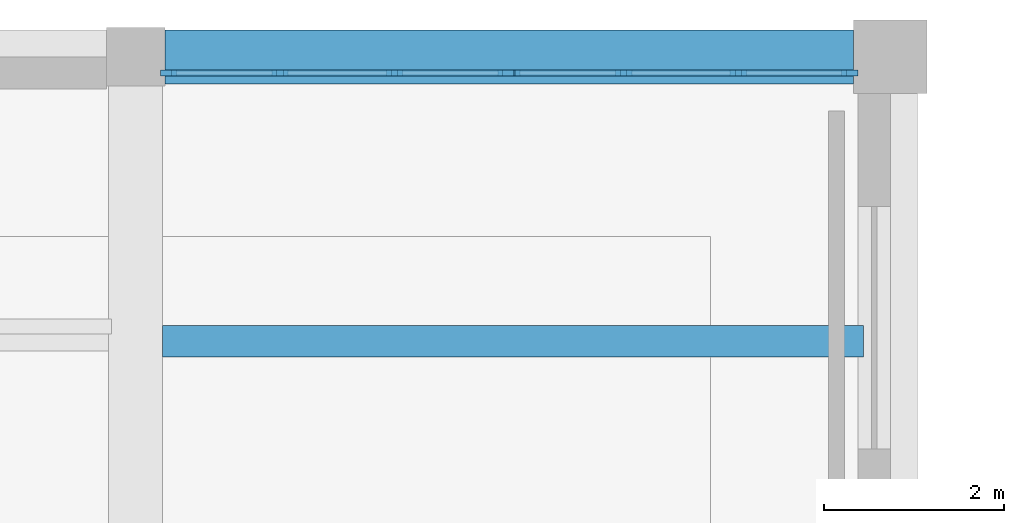
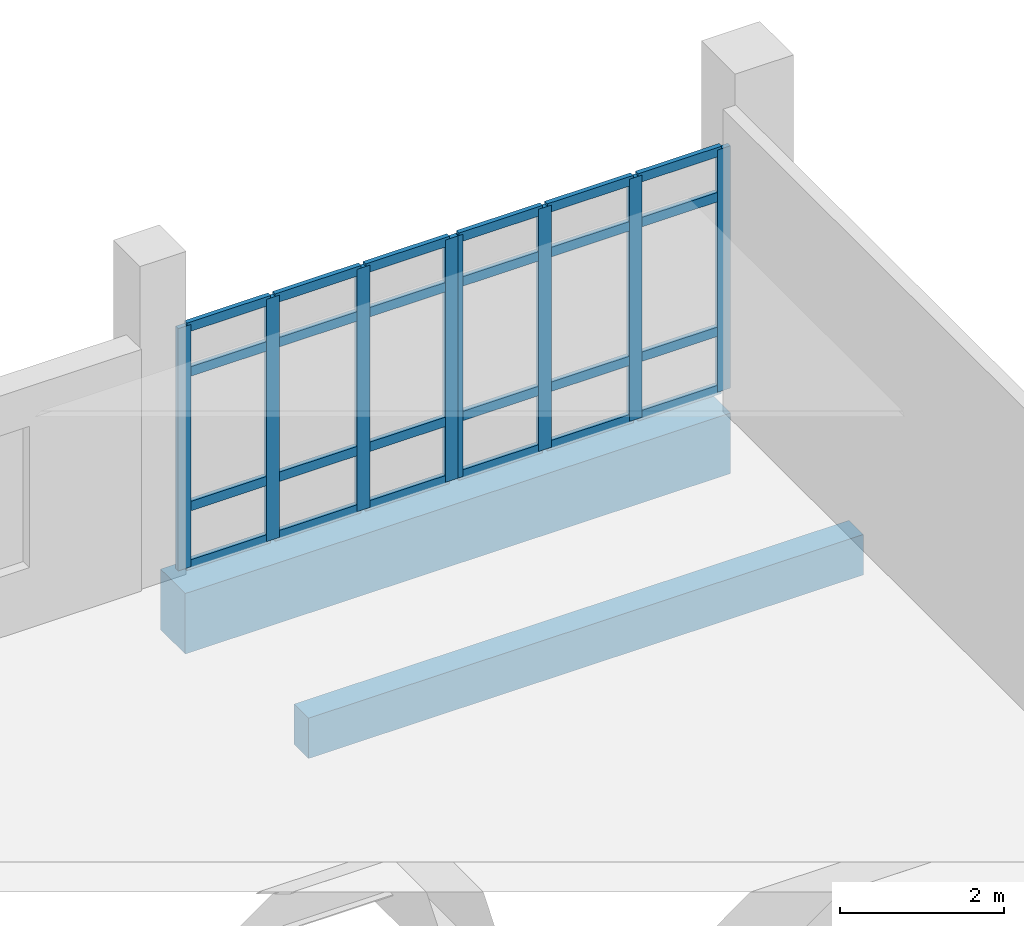
# One storey, part 32 of 90: 32 members, 2 beams, 2 elements without a shape of their own.
"""IFC4 building model written with IfcOpenShell, lengths in metres."""

from ifc_helpers import new_model, si_unit, direction, frame, origin, origin_2d, place, context, subcontext, project, spatial, rectangle, extrude, material, layer, layer_set, material_profile, profile_set, type_object, element, aggregate, save


model = new_model("IFC4")

# Units and contexts
model_context = context("Model", 3, precision=1e-05, world=origin(), true_north=direction((0.0, 1.0)))
body_context = subcontext(model_context, "Body", "Model", "MODEL_VIEW")
ifc_project = project(units=[si_unit("LENGTHUNIT", "METRE"), si_unit("AREAUNIT", "SQUARE_METRE"), si_unit("VOLUMEUNIT", "CUBIC_METRE"), si_unit("PLANEANGLEUNIT", "RADIAN"), si_unit("MASSUNIT", "GRAM", prefix="KILO")], contexts=[model_context])

# Site, building, storey
site_placement = place(None, origin())
site = spatial("IfcSite", under=ifc_project, at=site_placement, CompositionType="ELEMENT")
building_placement = place(site_placement, origin())
building = spatial("IfcBuilding", under=site, at=building_placement, Name="Kelarvand Opera House", CompositionType="ELEMENT")
storey_placement = place(building_placement, frame((0.0, 0.0, 5.39990234375)))
storey = spatial("IfcBuildingStorey", under=building, at=storey_placement, Name="L01", CompositionType="ELEMENT", Elevation=5.39990234375)

# Curtain wall, members
ifc_material_1 = material(Name="Thermally broken aluminium and low-E glazing", Category="aluminium")
ifc_layer = layer(ifc_material_1, 0.179931640625, Name="Thermally broken aluminium and low-E glazing", Category="aluminium")
ifc_layer_set = layer_set([ifc_layer], Name="Thermally broken aluminium and low-E glazing")
curtain_wall_type = type_object("IfcCurtainWallType", Name="Unitised Low-E Curtain Wall 3818x3600 Mod 1350 CWF-18", PredefinedType="USERDEFINED", material=ifc_layer_set)
curtain_wall_1_placement = place(storey_placement, origin())
curtain_wall_1 = element("IfcCurtainWall", 1, at=curtain_wall_1_placement, inside=storey, type_object=curtain_wall_type, Name="V3 L01 Curtain Wall CWF-18 (55)", ObjectType="UNITISED CURTAIN WALL", PredefinedType="USERDEFINED")
ifc_material_2 = material(Name="Thermally broken anodised aluminium", Category="aluminium")
ifc_material_profile_1 = material_profile(ifc_material_2, rectangle(XDim=0.06494140625, YDim=0.179931640625, at=origin_2d()), Name="ALU MULLION 65x180", Category="aluminium")
ifc_profile_set_1 = profile_set([ifc_material_profile_1], Name="Thermally broken anodised aluminium")
member_type_1 = type_object("IfcMemberType", Name="Curtain Wall Mullion 65x180 Aluminium", PredefinedType="MULLION", material=ifc_profile_set_1)
member_1_placement = place(storey_placement, frame((42.967529296875, 124.820068359375, 0.0), z_axis=(0.0, 0.0, 1.0), x_axis=(0.0, 1.0, 0.0)))
member_1 = element("IfcMember", 2, at=member_1_placement, type_object=member_type_1, Name="CWF-18 mullion 1", PredefinedType="MULLION", context=body_context, shape_type="SweptSolid", body=[
    extrude(rectangle(XDim=0.06494140625, YDim=0.179931640625, at=origin_2d()), origin(), (0.0, 0.0, 1.0), 3.60009765625),
])
member_2_placement = place(storey_placement, frame((44.207763671875, 124.820068359375, 0.0), z_axis=(0.0, 0.0, 1.0), x_axis=(0.0, 1.0, 0.0)))
member_2 = element("IfcMember", 3, at=member_2_placement, type_object=member_type_1, Name="CWF-18 mullion 2", PredefinedType="MULLION", context=body_context, shape_type="SweptSolid", body=[
    extrude(rectangle(XDim=0.06494140625, YDim=0.179931640625, at=origin_2d()), origin(), (0.0, 0.0, 1.0), 3.60009765625),
])
member_3_placement = place(storey_placement, frame((45.480712890625, 124.820068359375, 0.0), z_axis=(0.0, 0.0, 1.0), x_axis=(0.0, 1.0, 0.0)))
member_3 = element("IfcMember", 4, at=member_3_placement, type_object=member_type_1, Name="CWF-18 mullion 3", PredefinedType="MULLION", context=body_context, shape_type="SweptSolid", body=[
    extrude(rectangle(XDim=0.06494140625, YDim=0.179931640625, at=origin_2d()), origin(), (0.0, 0.0, 1.0), 3.60009765625),
])
member_4_placement = place(storey_placement, frame((46.720947265625, 124.820068359375, 0.0), z_axis=(0.0, 0.0, 1.0), x_axis=(0.0, 1.0, 0.0)))
member_4 = element("IfcMember", 5, at=member_4_placement, type_object=member_type_1, Name="CWF-18 mullion 4", PredefinedType="MULLION", context=body_context, shape_type="SweptSolid", body=[
    extrude(rectangle(XDim=0.06494140625, YDim=0.179931640625, at=origin_2d()), origin(), (0.0, 0.0, 1.0), 3.60009765625),
])

curtain_wall_2_placement = place(storey_placement, origin())
curtain_wall_2 = element("IfcCurtainWall", 6, at=curtain_wall_2_placement, inside=storey, type_object=curtain_wall_type, Name="V3 L01 Curtain Wall CWF-18 (56)", ObjectType="UNITISED CURTAIN WALL", PredefinedType="USERDEFINED")
member_5_placement = place(storey_placement, frame((46.7900390625, 124.820068359375, 0.0), z_axis=(0.0, 0.0, 1.0), x_axis=(0.0, 1.0, 0.0)))
member_5 = element("IfcMember", 7, at=member_5_placement, type_object=member_type_1, Name="CWF-18 mullion 1", PredefinedType="MULLION", context=body_context, shape_type="SweptSolid", body=[
    extrude(rectangle(XDim=0.06494140625, YDim=0.179931640625, at=origin_2d()), origin(), (0.0, 0.0, 1.0), 3.60009765625),
])
member_6_placement = place(storey_placement, frame((48.03173828125, 124.820068359375, 0.0), z_axis=(0.0, 0.0, 1.0), x_axis=(0.0, 1.0, 0.0)))
member_6 = element("IfcMember", 8, at=member_6_placement, type_object=member_type_1, Name="CWF-18 mullion 2", PredefinedType="MULLION", context=body_context, shape_type="SweptSolid", body=[
    extrude(rectangle(XDim=0.06494140625, YDim=0.179931640625, at=origin_2d()), origin(), (0.0, 0.0, 1.0), 3.60009765625),
])
member_7_placement = place(storey_placement, frame((49.305908203125, 124.820068359375, 0.0), z_axis=(0.0, 0.0, 1.0), x_axis=(0.0, 1.0, 0.0)))
member_7 = element("IfcMember", 9, at=member_7_placement, type_object=member_type_1, Name="CWF-18 mullion 3", PredefinedType="MULLION", context=body_context, shape_type="SweptSolid", body=[
    extrude(rectangle(XDim=0.06494140625, YDim=0.179931640625, at=origin_2d()), origin(), (0.0, 0.0, 1.0), 3.60009765625),
])
member_8_placement = place(storey_placement, frame((50.547607421875, 124.820068359375, 0.0), z_axis=(0.0, 0.0, 1.0), x_axis=(0.0, 1.0, 0.0)))
member_8 = element("IfcMember", 10, at=member_8_placement, type_object=member_type_1, Name="CWF-18 mullion 4", PredefinedType="MULLION", context=body_context, shape_type="SweptSolid", body=[
    extrude(rectangle(XDim=0.06494140625, YDim=0.179931640625, at=origin_2d()), origin(), (0.0, 0.0, 1.0), 3.60009765625),
])

# Member
ifc_material_profile_2 = material_profile(ifc_material_2, rectangle(XDim=0.06494140625, YDim=0.139892578125, at=origin_2d()), Name="ALU TRANSOM 65x140", Category="aluminium")
ifc_profile_set_2 = profile_set([ifc_material_profile_2], Name="Thermally broken anodised aluminium")
member_type_2 = type_object("IfcMemberType", Name="Curtain Wall Transom 65x140 Aluminium", PredefinedType="USERDEFINED", material=ifc_profile_set_2)
member_9_placement = place(storey_placement, frame((43.0, 124.820068359375, 0.03271484375), z_axis=(1.0, 0.0, 0.0), x_axis=(0.0, 1.0, 0.0)))
member_9 = element("IfcMember", 11, at=member_9_placement, type_object=member_type_2, Name="CWF-18 transom 1.1", ObjectType="TRANSOM", PredefinedType="USERDEFINED", context=body_context, shape_type="SweptSolid", body=[
    extrude(rectangle(XDim=0.06494140625, YDim=0.139892578125, at=origin_2d()), origin(), (0.0, 0.0, 1.0), 1.17529296875),
])

member_10_placement = place(storey_placement, frame((43.0, 124.820068359375, 0.900146484375), z_axis=(1.0, 0.0, 0.0), x_axis=(0.0, 1.0, 0.0)))
member_10 = element("IfcMember", 12, at=member_10_placement, type_object=member_type_2, Name="CWF-18 transom 1.2", ObjectType="TRANSOM", PredefinedType="USERDEFINED", context=body_context, shape_type="SweptSolid", body=[
    extrude(rectangle(XDim=0.06494140625, YDim=0.139892578125, at=origin_2d()), origin(), (0.0, 0.0, 1.0), 1.17529296875),
])

member_11_placement = place(storey_placement, frame((43.0, 124.820068359375, 2.900146484375), z_axis=(1.0, 0.0, 0.0), x_axis=(0.0, 1.0, 0.0)))
member_11 = element("IfcMember", 13, at=member_11_placement, type_object=member_type_2, Name="CWF-18 transom 1.3", ObjectType="TRANSOM", PredefinedType="USERDEFINED", context=body_context, shape_type="SweptSolid", body=[
    extrude(rectangle(XDim=0.06494140625, YDim=0.139892578125, at=origin_2d()), origin(), (0.0, 0.0, 1.0), 1.17529296875),
])

member_12_placement = place(storey_placement, frame((43.0, 124.820068359375, 3.567626953125), z_axis=(1.0, 0.0, 0.0), x_axis=(0.0, 1.0, 0.0)))
member_12 = element("IfcMember", 14, at=member_12_placement, type_object=member_type_2, Name="CWF-18 transom 1.4", ObjectType="TRANSOM", PredefinedType="USERDEFINED", context=body_context, shape_type="SweptSolid", body=[
    extrude(rectangle(XDim=0.06494140625, YDim=0.139892578125, at=origin_2d()), origin(), (0.0, 0.0, 1.0), 1.17529296875),
])

member_13_placement = place(storey_placement, frame((44.240234375, 124.820068359375, 0.03271484375), z_axis=(1.0, 0.0, 0.0), x_axis=(0.0, 1.0, 0.0)))
member_13 = element("IfcMember", 15, at=member_13_placement, type_object=member_type_2, Name="CWF-18 transom 2.1", ObjectType="TRANSOM", PredefinedType="USERDEFINED", context=body_context, shape_type="SweptSolid", body=[
    extrude(rectangle(XDim=0.06494140625, YDim=0.139892578125, at=origin_2d()), origin(), (0.0, 0.0, 1.0), 1.2080078125),
])

member_14_placement = place(storey_placement, frame((44.240234375, 124.820068359375, 0.900146484375), z_axis=(1.0, 0.0, 0.0), x_axis=(0.0, 1.0, 0.0)))
member_14 = element("IfcMember", 16, at=member_14_placement, type_object=member_type_2, Name="CWF-18 transom 2.2", ObjectType="TRANSOM", PredefinedType="USERDEFINED", context=body_context, shape_type="SweptSolid", body=[
    extrude(rectangle(XDim=0.06494140625, YDim=0.139892578125, at=origin_2d()), origin(), (0.0, 0.0, 1.0), 1.2080078125),
])

member_15_placement = place(storey_placement, frame((44.240234375, 124.820068359375, 2.900146484375), z_axis=(1.0, 0.0, 0.0), x_axis=(0.0, 1.0, 0.0)))
member_15 = element("IfcMember", 17, at=member_15_placement, type_object=member_type_2, Name="CWF-18 transom 2.3", ObjectType="TRANSOM", PredefinedType="USERDEFINED", context=body_context, shape_type="SweptSolid", body=[
    extrude(rectangle(XDim=0.06494140625, YDim=0.139892578125, at=origin_2d()), origin(), (0.0, 0.0, 1.0), 1.2080078125),
])

member_16_placement = place(storey_placement, frame((44.240234375, 124.820068359375, 3.567626953125), z_axis=(1.0, 0.0, 0.0), x_axis=(0.0, 1.0, 0.0)))
member_16 = element("IfcMember", 18, at=member_16_placement, type_object=member_type_2, Name="CWF-18 transom 2.4", ObjectType="TRANSOM", PredefinedType="USERDEFINED", context=body_context, shape_type="SweptSolid", body=[
    extrude(rectangle(XDim=0.06494140625, YDim=0.139892578125, at=origin_2d()), origin(), (0.0, 0.0, 1.0), 1.2080078125),
])

member_17_placement = place(storey_placement, frame((45.51318359375, 124.820068359375, 0.03271484375), z_axis=(1.0, 0.0, 0.0), x_axis=(0.0, 1.0, 0.0)))
member_17 = element("IfcMember", 19, at=member_17_placement, type_object=member_type_2, Name="CWF-18 transom 3.1", ObjectType="TRANSOM", PredefinedType="USERDEFINED", context=body_context, shape_type="SweptSolid", body=[
    extrude(rectangle(XDim=0.06494140625, YDim=0.139892578125, at=origin_2d()), origin(), (0.0, 0.0, 1.0), 1.17529296875),
])

member_18_placement = place(storey_placement, frame((45.51318359375, 124.820068359375, 0.900146484375), z_axis=(1.0, 0.0, 0.0), x_axis=(0.0, 1.0, 0.0)))
member_18 = element("IfcMember", 20, at=member_18_placement, type_object=member_type_2, Name="CWF-18 transom 3.2", ObjectType="TRANSOM", PredefinedType="USERDEFINED", context=body_context, shape_type="SweptSolid", body=[
    extrude(rectangle(XDim=0.06494140625, YDim=0.139892578125, at=origin_2d()), origin(), (0.0, 0.0, 1.0), 1.17529296875),
])

member_19_placement = place(storey_placement, frame((45.51318359375, 124.820068359375, 2.900146484375), z_axis=(1.0, 0.0, 0.0), x_axis=(0.0, 1.0, 0.0)))
member_19 = element("IfcMember", 21, at=member_19_placement, type_object=member_type_2, Name="CWF-18 transom 3.3", ObjectType="TRANSOM", PredefinedType="USERDEFINED", context=body_context, shape_type="SweptSolid", body=[
    extrude(rectangle(XDim=0.06494140625, YDim=0.139892578125, at=origin_2d()), origin(), (0.0, 0.0, 1.0), 1.17529296875),
])

member_20_placement = place(storey_placement, frame((45.51318359375, 124.820068359375, 3.567626953125), z_axis=(1.0, 0.0, 0.0), x_axis=(0.0, 1.0, 0.0)))
member_20 = element("IfcMember", 22, at=member_20_placement, type_object=member_type_2, Name="CWF-18 transom 3.4", ObjectType="TRANSOM", PredefinedType="USERDEFINED", context=body_context, shape_type="SweptSolid", body=[
    extrude(rectangle(XDim=0.06494140625, YDim=0.139892578125, at=origin_2d()), origin(), (0.0, 0.0, 1.0), 1.17529296875),
])

aggregate(curtain_wall_1, [member_1, member_2, member_3, member_4, member_9, member_10, member_11, member_12, member_13, member_14, member_15, member_16, member_17, member_18, member_19, member_20])

member_21_placement = place(storey_placement, frame((46.822509765625, 124.820068359375, 0.03271484375), z_axis=(1.0, 0.0, 0.0), x_axis=(0.0, 1.0, 0.0)))
member_21 = element("IfcMember", 23, at=member_21_placement, type_object=member_type_2, Name="CWF-18 transom 1.1", ObjectType="TRANSOM", PredefinedType="USERDEFINED", context=body_context, shape_type="SweptSolid", body=[
    extrude(rectangle(XDim=0.06494140625, YDim=0.139892578125, at=origin_2d()), origin(), (0.0, 0.0, 1.0), 1.1767578125),
])

member_22_placement = place(storey_placement, frame((46.822509765625, 124.820068359375, 0.900146484375), z_axis=(1.0, 0.0, 0.0), x_axis=(0.0, 1.0, 0.0)))
member_22 = element("IfcMember", 24, at=member_22_placement, type_object=member_type_2, Name="CWF-18 transom 1.2", ObjectType="TRANSOM", PredefinedType="USERDEFINED", context=body_context, shape_type="SweptSolid", body=[
    extrude(rectangle(XDim=0.06494140625, YDim=0.139892578125, at=origin_2d()), origin(), (0.0, 0.0, 1.0), 1.1767578125),
])

member_23_placement = place(storey_placement, frame((46.822509765625, 124.820068359375, 2.900146484375), z_axis=(1.0, 0.0, 0.0), x_axis=(0.0, 1.0, 0.0)))
member_23 = element("IfcMember", 25, at=member_23_placement, type_object=member_type_2, Name="CWF-18 transom 1.3", ObjectType="TRANSOM", PredefinedType="USERDEFINED", context=body_context, shape_type="SweptSolid", body=[
    extrude(rectangle(XDim=0.06494140625, YDim=0.139892578125, at=origin_2d()), origin(), (0.0, 0.0, 1.0), 1.1767578125),
])

member_24_placement = place(storey_placement, frame((46.822509765625, 124.820068359375, 3.567626953125), z_axis=(1.0, 0.0, 0.0), x_axis=(0.0, 1.0, 0.0)))
member_24 = element("IfcMember", 26, at=member_24_placement, type_object=member_type_2, Name="CWF-18 transom 1.4", ObjectType="TRANSOM", PredefinedType="USERDEFINED", context=body_context, shape_type="SweptSolid", body=[
    extrude(rectangle(XDim=0.06494140625, YDim=0.139892578125, at=origin_2d()), origin(), (0.0, 0.0, 1.0), 1.1767578125),
])

member_25_placement = place(storey_placement, frame((48.064208984375, 124.820068359375, 0.03271484375), z_axis=(1.0, 0.0, 0.0), x_axis=(0.0, 1.0, 0.0)))
member_25 = element("IfcMember", 27, at=member_25_placement, type_object=member_type_2, Name="CWF-18 transom 2.1", ObjectType="TRANSOM", PredefinedType="USERDEFINED", context=body_context, shape_type="SweptSolid", body=[
    extrude(rectangle(XDim=0.06494140625, YDim=0.139892578125, at=origin_2d()), origin(), (0.0, 0.0, 1.0), 1.209228515625),
])

member_26_placement = place(storey_placement, frame((48.064208984375, 124.820068359375, 0.900146484375), z_axis=(1.0, 0.0, 0.0), x_axis=(0.0, 1.0, 0.0)))
member_26 = element("IfcMember", 28, at=member_26_placement, type_object=member_type_2, Name="CWF-18 transom 2.2", ObjectType="TRANSOM", PredefinedType="USERDEFINED", context=body_context, shape_type="SweptSolid", body=[
    extrude(rectangle(XDim=0.06494140625, YDim=0.139892578125, at=origin_2d()), origin(), (0.0, 0.0, 1.0), 1.209228515625),
])

member_27_placement = place(storey_placement, frame((48.064208984375, 124.820068359375, 2.900146484375), z_axis=(1.0, 0.0, 0.0), x_axis=(0.0, 1.0, 0.0)))
member_27 = element("IfcMember", 29, at=member_27_placement, type_object=member_type_2, Name="CWF-18 transom 2.3", ObjectType="TRANSOM", PredefinedType="USERDEFINED", context=body_context, shape_type="SweptSolid", body=[
    extrude(rectangle(XDim=0.06494140625, YDim=0.139892578125, at=origin_2d()), origin(), (0.0, 0.0, 1.0), 1.209228515625),
])

member_28_placement = place(storey_placement, frame((48.064208984375, 124.820068359375, 3.567626953125), z_axis=(1.0, 0.0, 0.0), x_axis=(0.0, 1.0, 0.0)))
member_28 = element("IfcMember", 30, at=member_28_placement, type_object=member_type_2, Name="CWF-18 transom 2.4", ObjectType="TRANSOM", PredefinedType="USERDEFINED", context=body_context, shape_type="SweptSolid", body=[
    extrude(rectangle(XDim=0.06494140625, YDim=0.139892578125, at=origin_2d()), origin(), (0.0, 0.0, 1.0), 1.209228515625),
])

member_29_placement = place(storey_placement, frame((49.33837890625, 124.820068359375, 0.03271484375), z_axis=(1.0, 0.0, 0.0), x_axis=(0.0, 1.0, 0.0)))
member_29 = element("IfcMember", 31, at=member_29_placement, type_object=member_type_2, Name="CWF-18 transom 3.1", ObjectType="TRANSOM", PredefinedType="USERDEFINED", context=body_context, shape_type="SweptSolid", body=[
    extrude(rectangle(XDim=0.06494140625, YDim=0.139892578125, at=origin_2d()), origin(), (0.0, 0.0, 1.0), 1.176513671875),
])

member_30_placement = place(storey_placement, frame((49.33837890625, 124.820068359375, 0.900146484375), z_axis=(1.0, 0.0, 0.0), x_axis=(0.0, 1.0, 0.0)))
member_30 = element("IfcMember", 32, at=member_30_placement, type_object=member_type_2, Name="CWF-18 transom 3.2", ObjectType="TRANSOM", PredefinedType="USERDEFINED", context=body_context, shape_type="SweptSolid", body=[
    extrude(rectangle(XDim=0.06494140625, YDim=0.139892578125, at=origin_2d()), origin(), (0.0, 0.0, 1.0), 1.176513671875),
])

member_31_placement = place(storey_placement, frame((49.33837890625, 124.820068359375, 2.900146484375), z_axis=(1.0, 0.0, 0.0), x_axis=(0.0, 1.0, 0.0)))
member_31 = element("IfcMember", 33, at=member_31_placement, type_object=member_type_2, Name="CWF-18 transom 3.3", ObjectType="TRANSOM", PredefinedType="USERDEFINED", context=body_context, shape_type="SweptSolid", body=[
    extrude(rectangle(XDim=0.06494140625, YDim=0.139892578125, at=origin_2d()), origin(), (0.0, 0.0, 1.0), 1.176513671875),
])

member_32_placement = place(storey_placement, frame((49.33837890625, 124.820068359375, 3.567626953125), z_axis=(1.0, 0.0, 0.0), x_axis=(0.0, 1.0, 0.0)))
member_32 = element("IfcMember", 34, at=member_32_placement, type_object=member_type_2, Name="CWF-18 transom 3.4", ObjectType="TRANSOM", PredefinedType="USERDEFINED", context=body_context, shape_type="SweptSolid", body=[
    extrude(rectangle(XDim=0.06494140625, YDim=0.139892578125, at=origin_2d()), origin(), (0.0, 0.0, 1.0), 1.176513671875),
])

aggregate(curtain_wall_2, [member_5, member_6, member_7, member_8, member_21, member_22, member_23, member_24, member_25, member_26, member_27, member_28, member_29, member_30, member_31, member_32])

# Beams
ifc_material_3 = material(Name="Concrete C35/45", Category="concrete")
ifc_material_profile_3 = material_profile(ifc_material_3, rectangle(XDim=0.35009765625, YDim=0.60009765625, at=origin_2d()), Name="RC 350x600", Category="concrete")
ifc_profile_set_3 = profile_set([ifc_material_profile_3], Name="Concrete C35/45")
beam_type_1 = type_object("IfcBeamType", Name="Structural Beam RC 350x600 BM-RC350x600", PredefinedType="BEAM", material=ifc_profile_set_3)
beam_1_placement = place(storey_placement, frame((42.89990234375, 121.833251953125, -0.599853515625), z_axis=(1.0, 0.0, 0.0), x_axis=(0.0, 1.0, 0.0)))
element("IfcBeam", 35, at=beam_1_placement, inside=storey, type_object=beam_type_1, Name="V3 L01 Beam BM-RC350x600", PredefinedType="BEAM", context=body_context, shape_type="SweptSolid", body=[
    extrude(rectangle(XDim=0.35009765625, YDim=0.60009765625, at=origin_2d()), origin(), (0.0, 0.0, 1.0), 7.800048828125),
])
ifc_material_4 = material(Name="Concrete C40/50", Category="concrete")
ifc_material_profile_4 = material_profile(ifc_material_4, rectangle(XDim=0.60009765625, YDim=0.89990234375, at=origin_2d()), Name="RC 600x900", Category="concrete")
ifc_profile_set_4 = profile_set([ifc_material_profile_4], Name="Concrete C40/50")
beam_type_2 = type_object("IfcBeamType", Name="Structural Spandrel RC 600x900 SP-RC600x900E", PredefinedType="SPANDREL", material=ifc_profile_set_4)
beam_2_placement = place(storey_placement, frame((42.925048828125, 125.0, -0.75), z_axis=(1.0, 0.0, 0.0), x_axis=(0.0, 1.0, 0.0)))
element("IfcBeam", 36, at=beam_2_placement, inside=storey, type_object=beam_type_2, Name="V3 L01 Beam SP-RC600x900E", PredefinedType="SPANDREL", context=body_context, shape_type="SweptSolid", body=[
    extrude(rectangle(XDim=0.60009765625, YDim=0.89990234375, at=origin_2d()), origin(), (0.0, 0.0, 1.0), 7.6650390625),
])

save(model, "model.ifc")
